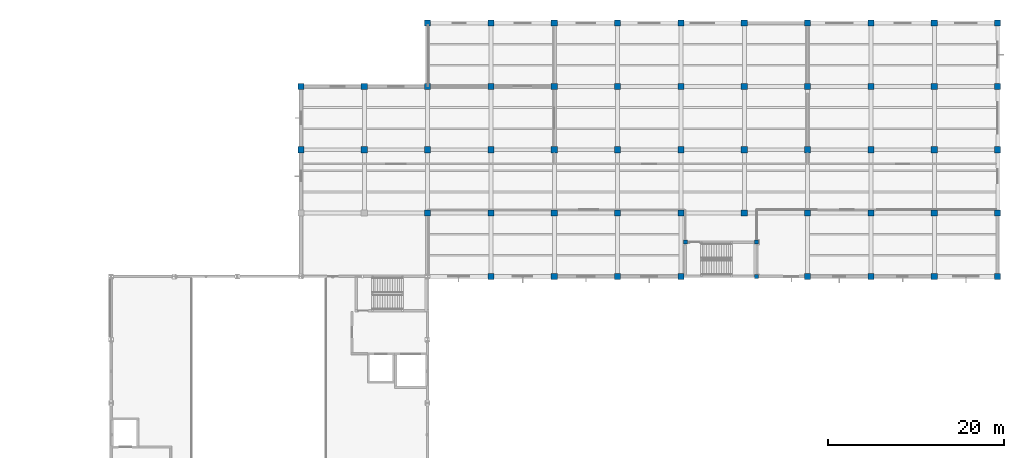
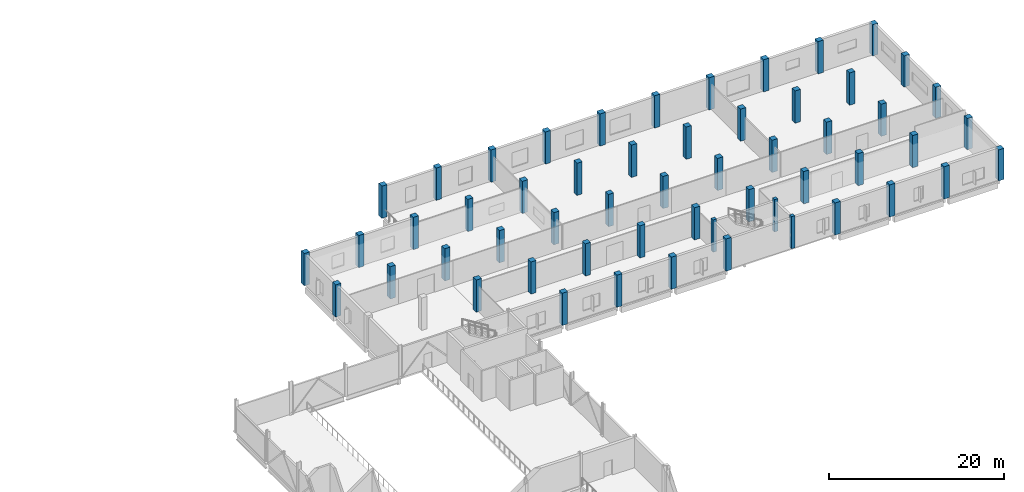
# One storey, part 9 of 108: 55 columns.
"""IFC4 building model written with IfcOpenShell, lengths in metres."""

import ifcopenshell
import ifcopenshell.guid

model = None  # the IFC model being written
_history = None  # IfcOwnerHistory: only IFC2X3 demands one
_inside = {}  # id of a spatial element -> (the spatial element, [elements in it])
_under = {}  # id of a project, library or spatial element -> (it, [spatial elements below it])
_declared = {}  # id of a project -> (the project, [libraries it declares])
_typed = {}  # id of a type object -> (the type object, [elements of that type])
_made_of = {}  # id of a material, layer set ... -> (it, [elements and type objects made of it])


def new_model(schema):
    """Start an empty IFC model of exactly this schema.

    Asked for "IFC4X3", IfcOpenShell would pick the latest addendum, in which some entities
    have other attributes; the version numbers below select the first issue.
    IFC2X3 requires an IfcOwnerHistory on every rooted entity: one is made here for all.
    """
    global model, _history
    if schema == "IFC4X3":
        model = ifcopenshell.file(schema_version=(4, 3, 0, 0))
    else:
        model = ifcopenshell.file(schema=schema)
    _inside.clear()
    _under.clear()
    _declared.clear()
    _typed.clear()
    _made_of.clear()
    _history = None
    if model.schema == "IFC2X3":
        org = make("IfcOrganization", Name="unknown")
        user = make(
            "IfcPersonAndOrganization",
            ThePerson=make("IfcPerson", FamilyName="unknown"),
            TheOrganization=org,
        )
        app = make(
            "IfcApplication",
            ApplicationDeveloper=org,
            Version="unknown",
            ApplicationFullName="unknown",
            ApplicationIdentifier="unknown",
        )
        _history = make(
            "IfcOwnerHistory",
            OwningUser=user,
            OwningApplication=app,
            ChangeAction="ADDED",
            CreationDate=0,
        )
    return model


def make(cls, **values):
    """One entity of the class cls with the attributes given. An attribute that is None is left unset."""
    return model.create_entity(
        cls, **{name: value for name, value in values.items() if value is not None}
    )


def rooted(cls, **values):
    """An entity with a GlobalId (a new one), such as an element, a storey or a relation."""
    return make(cls, GlobalId=ifcopenshell.guid.new(), OwnerHistory=_history, **values)


def si_unit(unit_type, name, prefix=None):
    """IfcSIUnit, for example si_unit("LENGTHUNIT", "METRE", prefix="MILLI")."""
    return make("IfcSIUnit", UnitType=unit_type, Prefix=prefix, Name=name)


def assignment(units):
    """IfcUnitAssignment: the units of a project."""
    return None if units is None else make("IfcUnitAssignment", Units=units)


def point(xyz):
    """IfcCartesianPoint."""
    return None if xyz is None else make("IfcCartesianPoint", Coordinates=xyz)


def direction(xyz):
    """IfcDirection."""
    return None if xyz is None else make("IfcDirection", DirectionRatios=xyz)


def frame(location, z_axis=None, x_axis=None):
    """IfcAxis2Placement3D, a coordinate frame: its origin and axes. An axis left out is left unset."""
    return make(
        "IfcAxis2Placement3D",
        Location=point(location),
        Axis=direction(z_axis),
        RefDirection=direction(x_axis),
    )


def frame_2d(location, x_axis=None):
    """IfcAxis2Placement2D, a coordinate frame in the plane: its origin and x axis."""
    return make(
        "IfcAxis2Placement2D", Location=point(location), RefDirection=direction(x_axis)
    )


def origin():
    """The frame at (0, 0, 0) with its axes left unset."""
    return frame((0.0, 0.0, 0.0))


def origin_2d():
    """The frame at (0, 0) in the plane with its x axis left unset."""
    return frame_2d((0.0, 0.0))


def place(relative_to, where):
    """IfcLocalPlacement: puts the frame where relative to a parent placement (None: the world)."""
    return make(
        "IfcLocalPlacement", PlacementRelTo=relative_to, RelativePlacement=where
    )


def context(
    kind, dimensions, precision=None, world=None, true_north=None, identifier=None
):
    """IfcGeometricRepresentationContext, for example the 3D "Model" context."""
    return make(
        "IfcGeometricRepresentationContext",
        ContextIdentifier=identifier,
        ContextType=kind,
        CoordinateSpaceDimension=dimensions,
        Precision=precision,
        WorldCoordinateSystem=world,
        TrueNorth=true_north,
    )


def subcontext(parent, identifier, kind, view, scale=None):
    """IfcGeometricRepresentationSubContext, for example "Body" below "Model"."""
    return make(
        "IfcGeometricRepresentationSubContext",
        ContextIdentifier=identifier,
        ContextType=kind,
        ParentContext=parent,
        TargetScale=scale,
        TargetView=view,
    )


def project(units=None, contexts=None):
    """IfcProject with its units and contexts."""
    return rooted(
        "IfcProject",
        Name="project",
        RepresentationContexts=contexts,
        UnitsInContext=assignment(units),
    )


def spatial(cls, under=None, at=None, **own):
    """A site, building, storey or space (cls), placed at a placement, below another one or the project."""
    s = rooted(cls, ObjectPlacement=at, **own)
    if under is not None:
        _under.setdefault(under.id(), (under, []))[1].append(s)
    return s


def profile(cls, at=None, kind="AREA", **sizes):
    """A parametric profile (cls). Its sizes go by their IFC names, for example OverallWidth=200.0."""
    return make(cls, ProfileType=kind, Position=at, **sizes)


def rectangle(**sizes):
    """IfcRectangleProfileDef."""
    return profile("IfcRectangleProfileDef", **sizes)


def extrude(swept, where, along, depth):
    """IfcExtrudedAreaSolid: the profile swept, set in the frame where, extruded along a direction by depth."""
    return make(
        "IfcExtrudedAreaSolid",
        SweptArea=swept,
        Position=where,
        ExtrudedDirection=direction(along),
        Depth=depth,
    )


def shape(context_of_items, identifier, shape_type, items):
    """IfcShapeRepresentation: the items that make up one representation, for example the "Body"."""
    return make(
        "IfcShapeRepresentation",
        ContextOfItems=context_of_items,
        RepresentationIdentifier=identifier,
        RepresentationType=shape_type,
        Items=items,
    )


def material(Name=None, Category=None):
    """IfcMaterial."""
    return make("IfcMaterial", Name=Name, Category=Category)


def material_profile(
    of_material, cross_section, Name=None, Category=None, Priority=None
):
    """IfcMaterialProfile: a cross section and its material."""
    return make(
        "IfcMaterialProfile",
        Name=Name,
        Material=of_material,
        Profile=cross_section,
        Priority=Priority,
        Category=Category,
    )


def profile_set(profiles, Name=None, composite=None):
    """IfcMaterialProfileSet."""
    return make(
        "IfcMaterialProfileSet",
        Name=Name,
        MaterialProfiles=profiles,
        CompositeProfile=composite,
    )


def made_of(thing, what):
    """Note that an element or type object is made of a material, layer set ...; save() writes the relation."""
    if what is not None:
        _made_of.setdefault(what.id(), (what, []))[1].append(thing)
    return thing


def type_object(cls, material=None, **own):
    """A type object (cls), such as IfcWallType, which elements share."""
    return made_of(rooted(cls, **own), material)


def element(
    cls,
    number,
    at=None,
    inside=None,
    cuts=None,
    type_object=None,
    material=None,
    context=None,
    identifier="Body",
    shape_type=None,
    held_by="IfcProductDefinitionShape",
    body=None,
    shapes=None,
    **own,
):
    """One element of the class cls, such as IfcWall. Its Tag is "e" and its number.

    at: its placement. inside: the storey or other place that contains it. cuts: it is an
    opening in that element (IfcRelVoidsElement). A single representation is given by context,
    identifier, shape_type and body (its items); several are given by shapes. held_by: the class
    of the entity that holds the representations. save() writes the other relations.
    """
    e = rooted(cls, Tag="e%d" % number, ObjectPlacement=at, **own)
    if body is not None:
        shapes = [shape(context, identifier, shape_type, body)]
    if shapes is not None:
        e.Representation = make(held_by, Representations=shapes)
    if inside is not None:
        _inside.setdefault(inside.id(), (inside, []))[1].append(e)
    if cuts is not None:
        rooted(
            "IfcRelVoidsElement", RelatingBuildingElement=cuts, RelatedOpeningElement=e
        )
    if type_object is not None:
        _typed.setdefault(type_object.id(), (type_object, []))[1].append(e)
    return made_of(e, material)


def aggregate(whole, parts):
    """IfcRelAggregates: a whole, such as a stair, and the parts it consists of."""
    return rooted("IfcRelAggregates", RelatingObject=whole, RelatedObjects=parts)


def save(model, path):
    """Write the relations noted so far, then the file.

    IfcRelAggregates (storeys below a building ...), IfcRelContainedInSpatialStructure (elements
    in a storey), IfcRelDefinesByType, IfcRelAssociatesMaterial and IfcRelDeclares: one each for
    every whole, place, type object, material and project.
    """
    for whole, parts in _under.values():
        aggregate(whole, parts)
    for where, things in _inside.values():
        rooted(
            "IfcRelContainedInSpatialStructure",
            RelatedElements=things,
            RelatingStructure=where,
        )
    for kind, things in _typed.values():
        rooted("IfcRelDefinesByType", RelatedObjects=things, RelatingType=kind)
    for what, things in _made_of.values():
        rooted("IfcRelAssociatesMaterial", RelatedObjects=things, RelatingMaterial=what)
    for by, libraries in _declared.values():
        rooted("IfcRelDeclares", RelatingContext=by, RelatedDefinitions=libraries)
    model.write(path)


model = new_model("IFC4")

# Units and contexts
model_context = context("Model", 3, precision=1e-05, world=origin(), true_north=direction((0.0, 1.0)))
body_context = subcontext(model_context, "Body", "Model", "MODEL_VIEW")
ifc_project = project(units=[si_unit("LENGTHUNIT", "METRE"), si_unit("AREAUNIT", "SQUARE_METRE"), si_unit("VOLUMEUNIT", "CUBIC_METRE"), si_unit("PLANEANGLEUNIT", "RADIAN"), si_unit("MASSUNIT", "GRAM", prefix="KILO"), si_unit("THERMODYNAMICTEMPERATUREUNIT", "KELVIN"), si_unit("POWERUNIT", "WATT")], contexts=[model_context])

# Site, building, storey
site_placement = place(None, origin())
site = spatial("IfcSite", under=ifc_project, at=site_placement, CompositionType="ELEMENT")
building_placement = place(site_placement, origin())
building = spatial("IfcBuilding", under=site, at=building_placement, Name="Kaldorven Railside Theatre", CompositionType="ELEMENT")
storey_placement = place(building_placement, frame((0.0, 0.0, 5.39990234375)))
storey = spatial("IfcBuildingStorey", under=building, at=storey_placement, Name="L01", CompositionType="ELEMENT", Elevation=5.39990234375)

# Columns
ifc_material = material(Name="Concrete C40/50", Category="concrete")
ifc_material_profile_1 = material_profile(ifc_material, rectangle(XDim=0.449951171875, YDim=0.449951171875, at=origin_2d()), Name="RC 450x450")
ifc_profile_set_1 = profile_set([ifc_material_profile_1], Name="Concrete C40/50")
column_type_1 = type_object("IfcColumnType", Name="COL-RC450", PredefinedType="COLUMN", material=ifc_profile_set_1)
for number, where, z_axis, x_axis, name in (
    (1, (160.60009765625, 112.800048828125, 0.0), (0.0, 0.0, 1.0), (1.0, 0.0, 0.0), "Core ST-08 L01 Boundary Column CCR-041"),
    (2, (160.60009765625, 116.699951171875, 0.0), (0.0, 0.0, 1.0), (1.0, 0.0, 0.0), "Core ST-08 L01 Boundary Column CCR-046"),
    (3, (152.5, 116.699951171875, 0.0), (0.0, 0.0, 1.0), (1.0, 0.0, 0.0), "Core ST-08 L01 Boundary Column CCR-051"),
):
    element("IfcColumn", number, at=place(storey_placement, frame(where, z_axis=z_axis, x_axis=x_axis)), inside=storey, type_object=column_type_1, Name=name, PredefinedType="COLUMN", context=body_context, shape_type="SweptSolid", body=[
        extrude(rectangle(XDim=0.449951171875, YDim=0.449951171875, at=origin_2d()), origin(), (0.0, 0.0, 1.0), 4.5),
    ])
ifc_material_profile_2 = material_profile(ifc_material, rectangle(XDim=0.699951171875, YDim=0.699951171875, at=origin_2d()), Name="RC 700x700")
ifc_profile_set_2 = profile_set([ifc_material_profile_2], Name="Concrete C40/50")
column_type_2 = type_object("IfcColumnType", Name="COL-RC700", PredefinedType="COLUMN", material=ifc_profile_set_2)
for number, where, z_axis, x_axis, name in (
    (4, (130.39990234375, 112.800048828125, 0.0), (0.0, 0.0, 1.0), (0.0, 1.0, 0.0), "L01 Column CG-L01-130-112"),
    (5, (137.60009765625, 112.800048828125, 0.0), (0.0, 0.0, 1.0), (1.0, 0.0, 0.0), "L01 Column CG-L01-137-112"),
    (6, (144.800048828125, 112.800048828125, 0.0), (0.0, 0.0, 1.0), (0.0, 1.0, 0.0), "L01 Column CG-L01-144-112"),
    (7, (152.0, 112.800048828125, 0.0), (0.0, 0.0, 1.0), (1.0, 0.0, 0.0), "L01 Column CG-L01-152-112"),
    (8, (166.39990234375, 112.800048828125, 0.0), (0.0, 0.0, 1.0), (0.0, 1.0, 0.0), "L01 Column CG-L01-166-112"),
    (9, (173.60009765625, 112.800048828125, 0.0), (0.0, 0.0, 1.0), (1.0, 0.0, 0.0), "L01 Column CG-L01-173-112"),
    (10, (180.800048828125, 112.800048828125, 0.0), (0.0, 0.0, 1.0), (0.0, 1.0, 0.0), "L01 Column CG-L01-180-112"),
):
    element("IfcColumn", number, at=place(storey_placement, frame(where, z_axis=z_axis, x_axis=x_axis)), inside=storey, type_object=column_type_2, Name=name, PredefinedType="COLUMN", context=body_context, shape_type="SweptSolid", body=[
        extrude(rectangle(XDim=0.699951171875, YDim=0.699951171875, at=origin_2d()), origin(), (0.0, 0.0, 1.0), 4.5),
    ])
column_1_placement = place(storey_placement, frame((188.0, 112.800048828125, 0.0), z_axis=(0.0, 0.0, 1.0), x_axis=(1.0, 0.0, 0.0)))
element("IfcColumn", 11, at=column_1_placement, inside=storey, type_object=column_type_2, Name="L01 Column CG-L01-188-112", PredefinedType="COLUMN", context=body_context, shape_type="SweptSolid", body=[
    extrude(rectangle(XDim=0.699951171875, YDim=0.699951171875, at=origin_2d()), origin(), (0.0, 0.0, 1.0), 4.346435546875),
])
for number, where, z_axis, x_axis, name in (
    (12, (123.199951171875, 120.0, 0.0), (0.0, 0.0, 1.0), (0.0, 1.0, 0.0), "L01 Column CG-L01-123-120"),
    (13, (130.39990234375, 120.0, 0.0), (0.0, 0.0, 1.0), (1.0, 0.0, 0.0), "L01 Column CG-L01-130-120"),
    (14, (137.60009765625, 120.0, 0.0), (0.0, 0.0, 1.0), (0.0, 1.0, 0.0), "L01 Column CG-L01-137-120"),
    (15, (144.800048828125, 120.0, 0.0), (0.0, 0.0, 1.0), (1.0, 0.0, 0.0), "L01 Column CG-L01-144-120"),
    (16, (152.0, 120.0, 0.0), (0.0, 0.0, 1.0), (1.0, 0.0, 0.0), "L01 Column CG-L01-152-120"),
    (17, (159.199951171875, 120.0, 0.0), (0.0, 0.0, 1.0), (0.0, 1.0, 0.0), "L01 Column CG-L01-159-120"),
    (18, (166.39990234375, 120.0, 0.0), (0.0, 0.0, 1.0), (1.0, 0.0, 0.0), "L01 Column CG-L01-166-120"),
    (19, (173.60009765625, 120.0, 0.0), (0.0, 0.0, 1.0), (0.0, 1.0, 0.0), "L01 Column CG-L01-173-120"),
    (20, (180.800048828125, 120.0, 0.0), (0.0, 0.0, 1.0), (1.0, 0.0, 0.0), "L01 Column CG-L01-180-120"),
):
    element("IfcColumn", number, at=place(storey_placement, frame(where, z_axis=z_axis, x_axis=x_axis)), inside=storey, type_object=column_type_2, Name=name, PredefinedType="COLUMN", context=body_context, shape_type="SweptSolid", body=[
        extrude(rectangle(XDim=0.699951171875, YDim=0.699951171875, at=origin_2d()), origin(), (0.0, 0.0, 1.0), 4.5),
    ])
column_2_placement = place(storey_placement, frame((188.0, 120.0, 0.0), z_axis=(0.0, 0.0, 1.0), x_axis=(1.0, 0.0, 0.0)))
element("IfcColumn", 21, at=column_2_placement, inside=storey, type_object=column_type_2, Name="L01 Column CG-L01-188-120", PredefinedType="COLUMN", context=body_context, shape_type="SweptSolid", body=[
    extrude(rectangle(XDim=0.699951171875, YDim=0.699951171875, at=origin_2d()), origin(), (0.0, 0.0, 1.0), 4.346435546875),
])
for number, where, z_axis, x_axis, name in (
    (22, (108.800048828125, 127.199951171875, 0.0), (0.0, 0.0, 1.0), (1.0, 0.0, 0.0), "L01 Column CG-L01-108-127"),
    (23, (116.0, 127.199951171875, 0.0), (0.0, 0.0, 1.0), (0.0, 1.0, 0.0), "L01 Column CG-L01-116-127"),
    (24, (123.199951171875, 127.199951171875, 0.0), (0.0, 0.0, 1.0), (1.0, 0.0, 0.0), "L01 Column CG-L01-123-127"),
    (25, (130.39990234375, 127.199951171875, 0.0), (0.0, 0.0, 1.0), (0.0, 1.0, 0.0), "L01 Column CG-L01-130-127"),
    (26, (137.60009765625, 127.199951171875, 0.0), (0.0, 0.0, 1.0), (1.0, 0.0, 0.0), "L01 Column CG-L01-137-127"),
    (27, (144.800048828125, 127.199951171875, 0.0), (0.0, 0.0, 1.0), (1.0, 0.0, 0.0), "L01 Column CG-L01-144-127"),
    (28, (152.0, 127.199951171875, 0.0), (0.0, 0.0, 1.0), (0.0, 1.0, 0.0), "L01 Column CG-L01-152-127"),
    (29, (159.199951171875, 127.199951171875, 0.0), (0.0, 0.0, 1.0), (1.0, 0.0, 0.0), "L01 Column CG-L01-159-127"),
    (30, (166.39990234375, 127.199951171875, 0.0), (0.0, 0.0, 1.0), (0.0, 1.0, 0.0), "L01 Column CG-L01-166-127"),
    (31, (173.60009765625, 127.199951171875, 0.0), (0.0, 0.0, 1.0), (1.0, 0.0, 0.0), "L01 Column CG-L01-173-127"),
    (32, (180.800048828125, 127.199951171875, 0.0), (0.0, 0.0, 1.0), (1.0, 0.0, 0.0), "L01 Column CG-L01-180-127"),
):
    element("IfcColumn", number, at=place(storey_placement, frame(where, z_axis=z_axis, x_axis=x_axis)), inside=storey, type_object=column_type_2, Name=name, PredefinedType="COLUMN", context=body_context, shape_type="SweptSolid", body=[
        extrude(rectangle(XDim=0.699951171875, YDim=0.699951171875, at=origin_2d()), origin(), (0.0, 0.0, 1.0), 4.5),
    ])
column_3_placement = place(storey_placement, frame((188.0, 127.199951171875, 0.0), z_axis=(0.0, 0.0, 1.0), x_axis=(0.0, 1.0, 0.0)))
element("IfcColumn", 33, at=column_3_placement, inside=storey, type_object=column_type_2, Name="L01 Column CG-L01-188-127", PredefinedType="COLUMN", context=body_context, shape_type="SweptSolid", body=[
    extrude(rectangle(XDim=0.699951171875, YDim=0.699951171875, at=origin_2d()), origin(), (0.0, 0.0, 1.0), 4.346435546875),
])
for number, where, z_axis, x_axis, name in (
    (34, (108.800048828125, 134.39990234375, 0.0), (0.0, 0.0, 1.0), (0.0, 1.0, 0.0), "L01 Column CG-L01-108-134"),
    (35, (116.0, 134.39990234375, 0.0), (0.0, 0.0, 1.0), (1.0, 0.0, 0.0), "L01 Column CG-L01-116-134"),
    (36, (123.199951171875, 134.39990234375, 0.0), (0.0, 0.0, 1.0), (0.0, 1.0, 0.0), "L01 Column CG-L01-123-134"),
    (37, (130.39990234375, 134.39990234375, 0.0), (0.0, 0.0, 1.0), (1.0, 0.0, 0.0), "L01 Column CG-L01-130-134"),
    (38, (137.60009765625, 134.39990234375, 0.0), (0.0, 0.0, 1.0), (1.0, 0.0, 0.0), "L01 Column CG-L01-137-134"),
    (39, (144.800048828125, 134.39990234375, 0.0), (0.0, 0.0, 1.0), (0.0, 1.0, 0.0), "L01 Column CG-L01-144-134"),
    (40, (152.0, 134.39990234375, 0.0), (0.0, 0.0, 1.0), (1.0, 0.0, 0.0), "L01 Column CG-L01-152-134"),
    (41, (159.199951171875, 134.39990234375, 0.0), (0.0, 0.0, 1.0), (0.0, 1.0, 0.0), "L01 Column CG-L01-159-134"),
    (42, (166.39990234375, 134.39990234375, 0.0), (0.0, 0.0, 1.0), (1.0, 0.0, 0.0), "L01 Column CG-L01-166-134"),
    (43, (173.60009765625, 134.39990234375, 0.0), (0.0, 0.0, 1.0), (1.0, 0.0, 0.0), "L01 Column CG-L01-173-134"),
    (44, (180.800048828125, 134.39990234375, 0.0), (0.0, 0.0, 1.0), (0.0, 1.0, 0.0), "L01 Column CG-L01-180-134"),
):
    element("IfcColumn", number, at=place(storey_placement, frame(where, z_axis=z_axis, x_axis=x_axis)), inside=storey, type_object=column_type_2, Name=name, PredefinedType="COLUMN", context=body_context, shape_type="SweptSolid", body=[
        extrude(rectangle(XDim=0.699951171875, YDim=0.699951171875, at=origin_2d()), origin(), (0.0, 0.0, 1.0), 4.5),
    ])
column_4_placement = place(storey_placement, frame((188.0, 134.39990234375, 0.0), z_axis=(0.0, 0.0, 1.0), x_axis=(1.0, 0.0, 0.0)))
element("IfcColumn", 45, at=column_4_placement, inside=storey, type_object=column_type_2, Name="L01 Column CG-L01-188-134", PredefinedType="COLUMN", context=body_context, shape_type="SweptSolid", body=[
    extrude(rectangle(XDim=0.699951171875, YDim=0.699951171875, at=origin_2d()), origin(), (0.0, 0.0, 1.0), 4.346435546875),
])
for number, where, z_axis, x_axis, name in (
    (46, (123.199951171875, 141.60009765625, 0.0), (0.0, 0.0, 1.0), (1.0, 0.0, 0.0), "L01 Column CG-L01-123-141"),
    (47, (130.39990234375, 141.60009765625, 0.0), (0.0, 0.0, 1.0), (1.0, 0.0, 0.0), "L01 Column CG-L01-130-141"),
    (48, (137.60009765625, 141.60009765625, 0.0), (0.0, 0.0, 1.0), (0.0, 1.0, 0.0), "L01 Column CG-L01-137-141"),
    (49, (144.800048828125, 141.60009765625, 0.0), (0.0, 0.0, 1.0), (1.0, 0.0, 0.0), "L01 Column CG-L01-144-141"),
    (50, (152.0, 141.60009765625, 0.0), (0.0, 0.0, 1.0), (0.0, 1.0, 0.0), "L01 Column CG-L01-152-141"),
    (51, (159.199951171875, 141.60009765625, 0.0), (0.0, 0.0, 1.0), (1.0, 0.0, 0.0), "L01 Column CG-L01-159-141"),
    (52, (166.39990234375, 141.60009765625, 0.0), (0.0, 0.0, 1.0), (1.0, 0.0, 0.0), "L01 Column CG-L01-166-141"),
    (53, (173.60009765625, 141.60009765625, 0.0), (0.0, 0.0, 1.0), (0.0, 1.0, 0.0), "L01 Column CG-L01-173-141"),
    (54, (180.800048828125, 141.60009765625, 0.0), (0.0, 0.0, 1.0), (1.0, 0.0, 0.0), "L01 Column CG-L01-180-141"),
):
    element("IfcColumn", number, at=place(storey_placement, frame(where, z_axis=z_axis, x_axis=x_axis)), inside=storey, type_object=column_type_2, Name=name, PredefinedType="COLUMN", context=body_context, shape_type="SweptSolid", body=[
        extrude(rectangle(XDim=0.699951171875, YDim=0.699951171875, at=origin_2d()), origin(), (0.0, 0.0, 1.0), 4.5),
    ])
column_5_placement = place(storey_placement, frame((188.0, 141.60009765625, 0.0), z_axis=(0.0, 0.0, 1.0), x_axis=(0.0, 1.0, 0.0)))
element("IfcColumn", 55, at=column_5_placement, inside=storey, type_object=column_type_2, Name="L01 Column CG-L01-188-141", PredefinedType="COLUMN", context=body_context, shape_type="SweptSolid", body=[
    extrude(rectangle(XDim=0.699951171875, YDim=0.699951171875, at=origin_2d()), origin(), (0.0, 0.0, 1.0), 4.346435546875),
])

save(model, "model.ifc")
